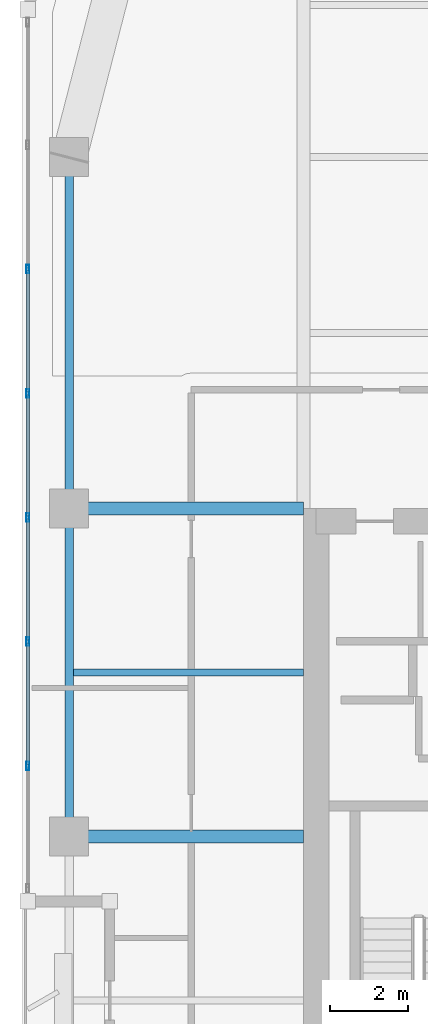
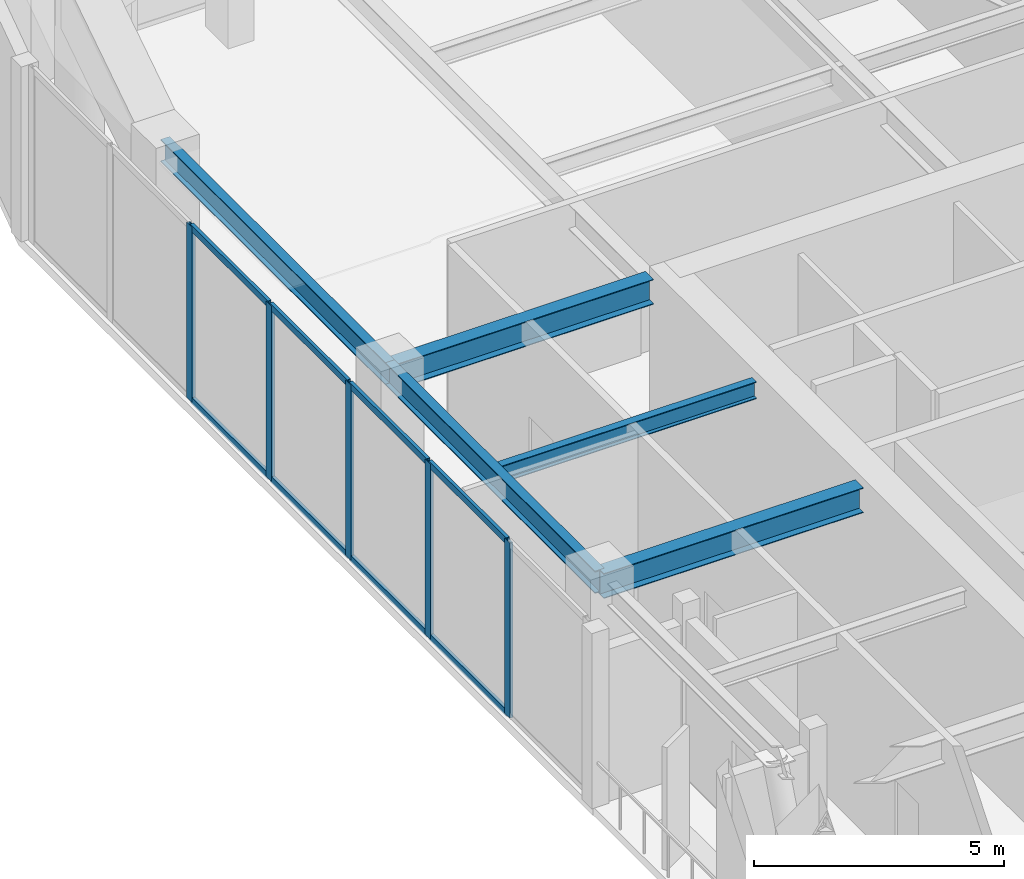
# One storey, part 4 of 19: 13 members, 5 beams, 1 element without a shape of its own.
"""IFC4 building model written with IfcOpenShell, lengths in metres."""

from ifc_helpers import new_model, si_unit, direction, frame, origin, origin_2d, place, context, subcontext, project, spatial, hollow_rectangle, i_section, extrude, material, layer, layer_set, material_profile, profile_set, type_object, element, aggregate, save


model = new_model("IFC4")

# Units and contexts
model_context = context("Model", 3, precision=1e-05, world=origin(), true_north=direction((0.0, 1.0)))
body_context = subcontext(model_context, "Body", "Model", "MODEL_VIEW")
ifc_project = project(units=[si_unit("LENGTHUNIT", "METRE"), si_unit("AREAUNIT", "SQUARE_METRE"), si_unit("VOLUMEUNIT", "CUBIC_METRE"), si_unit("PLANEANGLEUNIT", "RADIAN"), si_unit("MASSUNIT", "GRAM", prefix="KILO")], contexts=[model_context])

# Site, building, storey
site_placement = place(None, origin())
site = spatial("IfcSite", under=ifc_project, at=site_placement, CompositionType="ELEMENT")
building_placement = place(site_placement, origin())
building = spatial("IfcBuilding", under=site, at=building_placement, Name="Kiyonajd Concourse Tower", CompositionType="ELEMENT")
storey_placement = place(building_placement, frame((0.0, 0.0, 238.800048828125)))
storey = spatial("IfcBuildingStorey", under=building, at=storey_placement, Name="L60", CompositionType="ELEMENT", Elevation=238.800048828125)

# Beams
ifc_material_1 = material(Name="Steel ASTM A992 Grade 50", Category="steel")
ifc_material_profile_1 = material_profile(ifc_material_1, i_section(OverallWidth=0.180908203125, OverallDepth=0.4169921875, WebThickness=0.010986328125, FlangeThickness=0.018310546875, at=origin_2d()), Name="W410X85")
ifc_profile_set_1 = profile_set([ifc_material_profile_1], Name="Steel ASTM A992 Grade 50")
beam_type_1 = type_object("IfcBeamType", Name="BM-JST-410", PredefinedType="JOIST", material=ifc_profile_set_1)
beam_1_placement = place(storey_placement, frame((26.507080078125, 40.199951171875, 4.071533203125), z_axis=(1.0, 0.0, 0.0), x_axis=(0.0, 1.0, 0.0)))
element("IfcBeam", 1, at=beam_1_placement, inside=storey, type_object=beam_type_1, Name="L60 West Secondary Floor Joist", PredefinedType="JOIST", context=body_context, shape_type="SweptSolid", body=[
    extrude(i_section(OverallWidth=0.180908203125, OverallDepth=0.4169921875, WebThickness=0.010986328125, FlangeThickness=0.018310546875, at=origin_2d()), origin(), (0.0, 0.0, 1.0), 5.892822265625),
])
ifc_material_profile_2 = material_profile(ifc_material_1, i_section(OverallWidth=0.214111328125, OverallDepth=0.549072265625, WebThickness=0.0146484375, FlangeThickness=0.023681640625, at=origin_2d()), Name="W530X138")
ifc_profile_set_2 = profile_set([ifc_material_profile_2], Name="Steel ASTM A992 Grade 50")
beam_type_2 = type_object("IfcBeamType", Name="BM-SPAN-530A", PredefinedType="SPANDREL", material=ifc_profile_set_2)
beam_2_placement = place(storey_placement, frame((26.39990234375, 53.39990234375, 4.00537109375), z_axis=(0.0, -1.0, 0.0), x_axis=(1.0, 0.0, 0.0)))
element("IfcBeam", 2, at=beam_2_placement, inside=storey, type_object=beam_type_2, Name="L60 Perimeter Bundled Tube Spandrel", PredefinedType="SPANDREL", context=body_context, shape_type="SweptSolid", body=[
    extrude(i_section(OverallWidth=0.214111328125, OverallDepth=0.549072265625, WebThickness=0.0146484375, FlangeThickness=0.023681640625, at=origin_2d()), origin(), (0.0, 0.0, 1.0), 9.0),
])
beam_3_placement = place(storey_placement, frame((26.39990234375, 44.39990234375, 4.00537109375), z_axis=(0.0, -1.0, 0.0), x_axis=(1.0, 0.0, 0.0)))
element("IfcBeam", 3, at=beam_3_placement, inside=storey, type_object=beam_type_2, Name="L60 Perimeter Bundled Tube Spandrel", PredefinedType="SPANDREL", context=body_context, shape_type="SweptSolid", body=[
    extrude(i_section(OverallWidth=0.214111328125, OverallDepth=0.549072265625, WebThickness=0.0146484375, FlangeThickness=0.023681640625, at=origin_2d()), origin(), (0.0, 0.0, 1.0), 8.39990234375),
])
ifc_material_profile_3 = material_profile(ifc_material_1, i_section(OverallWidth=0.323974609375, OverallDepth=0.611083984375, WebThickness=0.0126953125, FlangeThickness=0.01904296875, at=origin_2d()), Name="W610X155")
ifc_profile_set_3 = profile_set([ifc_material_profile_3], Name="Steel ASTM A992 Grade 50")
beam_type_3 = type_object("IfcBeamType", Name="BM-TWR-610B", PredefinedType="BEAM", material=ifc_profile_set_3)
for number, where, z_axis, x_axis, name in (
    (4, (26.39990234375, 36.0, 3.974365234375), (1.0, 0.0, 0.0), (0.0, 1.0, 0.0), "L60 West Lease Girder"),
    (5, (26.39990234375, 44.39990234375, 3.974365234375), (1.0, 0.0, 0.0), (0.0, 1.0, 0.0), "L60 West Lease Girder"),
):
    element("IfcBeam", number, at=place(storey_placement, frame(where, z_axis=z_axis, x_axis=x_axis)), inside=storey, type_object=beam_type_3, Name=name, PredefinedType="BEAM", context=body_context, shape_type="SweptSolid", body=[
        extrude(i_section(OverallWidth=0.323974609375, OverallDepth=0.611083984375, WebThickness=0.0126953125, FlangeThickness=0.01904296875, at=origin_2d()), origin(), (0.0, 0.0, 1.0), 6.0),
    ])

# Curtain wall, members
ifc_material_2 = material(Name="Thermally Broken Anodised Aluminium", Category="aluminium")
ifc_layer = layer(ifc_material_2, 0.179931640625)
ifc_layer_set = layer_set([ifc_layer], Name="Thermally Broken Anodised Aluminium")
curtain_wall_type = type_object("IfcCurtainWallType", Name="CW-SYS-05", PredefinedType="NOTDEFINED", material=ifc_layer_set)
curtain_wall_placement = place(storey_placement, origin())
curtain_wall = element("IfcCurtainWall", 6, at=curtain_wall_placement, inside=storey, type_object=curtain_wall_type, Name="L60 Unitised Curtain Wall CW5", PredefinedType="NOTDEFINED")
ifc_material_profile_4 = material_profile(ifc_material_2, hollow_rectangle(XDim=0.074951171875, YDim=0.219970703125, WallThickness=0.0048828125, at=origin_2d()), Name="MULL-75x220")
ifc_profile_set_4 = profile_set([ifc_material_profile_4], Name="Thermally Broken Anodised Aluminium")
member_type_1 = type_object("IfcMemberType", Name="MB-CW-MULL2", PredefinedType="MULLION", material=ifc_profile_set_4)
member_1_placement = place(storey_placement, frame((25.340087890625, 37.810302734375, 0.0), z_axis=(0.0, 0.0, 1.0), x_axis=(-1.0, 0.0, 0.0)))
member_1 = element("IfcMember", 7, at=member_1_placement, type_object=member_type_1, Name="CW5 mullion 2", PredefinedType="MULLION", context=body_context, shape_type="SweptSolid", body=[
    extrude(hollow_rectangle(XDim=0.074951171875, YDim=0.219970703125, WallThickness=0.0048828125, at=origin_2d()), origin(), (0.0, 0.0, 1.0), 4.280029296875),
])
member_2_placement = place(storey_placement, frame((25.340087890625, 40.990478515625, 0.0), z_axis=(0.0, 0.0, 1.0), x_axis=(-1.0, 0.0, 0.0)))
member_2 = element("IfcMember", 8, at=member_2_placement, type_object=member_type_1, Name="CW5 mullion 3", PredefinedType="MULLION", context=body_context, shape_type="SweptSolid", body=[
    extrude(hollow_rectangle(XDim=0.074951171875, YDim=0.219970703125, WallThickness=0.0048828125, at=origin_2d()), origin(), (0.0, 0.0, 1.0), 4.280029296875),
])
member_3_placement = place(storey_placement, frame((25.340087890625, 44.170654296875, 0.0), z_axis=(0.0, 0.0, 1.0), x_axis=(-1.0, 0.0, 0.0)))
member_3 = element("IfcMember", 9, at=member_3_placement, type_object=member_type_1, Name="CW5 mullion 4", PredefinedType="MULLION", context=body_context, shape_type="SweptSolid", body=[
    extrude(hollow_rectangle(XDim=0.074951171875, YDim=0.219970703125, WallThickness=0.0048828125, at=origin_2d()), origin(), (0.0, 0.0, 1.0), 4.280029296875),
])
member_4_placement = place(storey_placement, frame((25.340087890625, 47.350830078125, 0.0), z_axis=(0.0, 0.0, 1.0), x_axis=(-1.0, 0.0, 0.0)))
member_4 = element("IfcMember", 10, at=member_4_placement, type_object=member_type_1, Name="CW5 mullion 5", PredefinedType="MULLION", context=body_context, shape_type="SweptSolid", body=[
    extrude(hollow_rectangle(XDim=0.074951171875, YDim=0.219970703125, WallThickness=0.0048828125, at=origin_2d()), origin(), (0.0, 0.0, 1.0), 4.280029296875),
])
member_5_placement = place(storey_placement, frame((25.340087890625, 50.53125, 0.0), z_axis=(0.0, 0.0, 1.0), x_axis=(-1.0, 0.0, 0.0)))
member_5 = element("IfcMember", 11, at=member_5_placement, type_object=member_type_1, Name="CW5 mullion 6", PredefinedType="MULLION", context=body_context, shape_type="SweptSolid", body=[
    extrude(hollow_rectangle(XDim=0.074951171875, YDim=0.219970703125, WallThickness=0.0048828125, at=origin_2d()), origin(), (0.0, 0.0, 1.0), 4.280029296875),
])
ifc_material_profile_5 = material_profile(ifc_material_2, hollow_rectangle(XDim=0.074951171875, YDim=0.159912109375, WallThickness=0.0048828125, at=origin_2d()), Name="TRAN-75x160")
ifc_profile_set_5 = profile_set([ifc_material_profile_5], Name="Thermally Broken Anodised Aluminium")
member_type_2 = type_object("IfcMemberType", Name="MB-CW-TRAN2", PredefinedType="USERDEFINED", material=ifc_profile_set_5)
member_6_placement = place(storey_placement, frame((25.340087890625, 37.84765625, 0.037353515625), z_axis=(0.0, 1.0, 0.0), x_axis=(-1.0, 0.0, 0.0)))
member_6 = element("IfcMember", 12, at=member_6_placement, type_object=member_type_2, Name="CW5 transom 2.1", ObjectType="TRANSOM", PredefinedType="USERDEFINED", context=body_context, shape_type="SweptSolid", body=[
    extrude(hollow_rectangle(XDim=0.074951171875, YDim=0.159912109375, WallThickness=0.0048828125, at=origin_2d()), origin(), (0.0, 0.0, 1.0), 3.105224609375),
])
member_7_placement = place(storey_placement, frame((25.340087890625, 37.84765625, 4.242431640625), z_axis=(0.0, 1.0, 0.0), x_axis=(-1.0, 0.0, 0.0)))
member_7 = element("IfcMember", 13, at=member_7_placement, type_object=member_type_2, Name="CW5 transom 2.2", ObjectType="TRANSOM", PredefinedType="USERDEFINED", context=body_context, shape_type="SweptSolid", body=[
    extrude(hollow_rectangle(XDim=0.074951171875, YDim=0.159912109375, WallThickness=0.0048828125, at=origin_2d()), origin(), (0.0, 0.0, 1.0), 3.105224609375),
])
member_8_placement = place(storey_placement, frame((25.340087890625, 41.028076171875, 0.037353515625), z_axis=(0.0, 1.0, 0.0), x_axis=(-1.0, 0.0, 0.0)))
member_8 = element("IfcMember", 14, at=member_8_placement, type_object=member_type_2, Name="CW5 transom 3.1", ObjectType="TRANSOM", PredefinedType="USERDEFINED", context=body_context, shape_type="SweptSolid", body=[
    extrude(hollow_rectangle(XDim=0.074951171875, YDim=0.159912109375, WallThickness=0.0048828125, at=origin_2d()), origin(), (0.0, 0.0, 1.0), 3.105224609375),
])
member_9_placement = place(storey_placement, frame((25.340087890625, 41.028076171875, 4.242431640625), z_axis=(0.0, 1.0, 0.0), x_axis=(-1.0, 0.0, 0.0)))
member_9 = element("IfcMember", 15, at=member_9_placement, type_object=member_type_2, Name="CW5 transom 3.2", ObjectType="TRANSOM", PredefinedType="USERDEFINED", context=body_context, shape_type="SweptSolid", body=[
    extrude(hollow_rectangle(XDim=0.074951171875, YDim=0.159912109375, WallThickness=0.0048828125, at=origin_2d()), origin(), (0.0, 0.0, 1.0), 3.105224609375),
])
member_10_placement = place(storey_placement, frame((25.340087890625, 44.208251953125, 0.037353515625), z_axis=(0.0, 1.0, 0.0), x_axis=(-1.0, 0.0, 0.0)))
member_10 = element("IfcMember", 16, at=member_10_placement, type_object=member_type_2, Name="CW5 transom 4.1", ObjectType="TRANSOM", PredefinedType="USERDEFINED", context=body_context, shape_type="SweptSolid", body=[
    extrude(hollow_rectangle(XDim=0.074951171875, YDim=0.159912109375, WallThickness=0.0048828125, at=origin_2d()), origin(), (0.0, 0.0, 1.0), 3.105224609375),
])
member_11_placement = place(storey_placement, frame((25.340087890625, 44.208251953125, 4.242431640625), z_axis=(0.0, 1.0, 0.0), x_axis=(-1.0, 0.0, 0.0)))
member_11 = element("IfcMember", 17, at=member_11_placement, type_object=member_type_2, Name="CW5 transom 4.2", ObjectType="TRANSOM", PredefinedType="USERDEFINED", context=body_context, shape_type="SweptSolid", body=[
    extrude(hollow_rectangle(XDim=0.074951171875, YDim=0.159912109375, WallThickness=0.0048828125, at=origin_2d()), origin(), (0.0, 0.0, 1.0), 3.105224609375),
])
member_12_placement = place(storey_placement, frame((25.340087890625, 47.388427734375, 0.037353515625), z_axis=(0.0, 1.0, 0.0), x_axis=(-1.0, 0.0, 0.0)))
member_12 = element("IfcMember", 18, at=member_12_placement, type_object=member_type_2, Name="CW5 transom 5.1", ObjectType="TRANSOM", PredefinedType="USERDEFINED", context=body_context, shape_type="SweptSolid", body=[
    extrude(hollow_rectangle(XDim=0.074951171875, YDim=0.159912109375, WallThickness=0.0048828125, at=origin_2d()), origin(), (0.0, 0.0, 1.0), 3.105224609375),
])
member_13_placement = place(storey_placement, frame((25.340087890625, 47.388427734375, 4.242431640625), z_axis=(0.0, 1.0, 0.0), x_axis=(-1.0, 0.0, 0.0)))
member_13 = element("IfcMember", 19, at=member_13_placement, type_object=member_type_2, Name="CW5 transom 5.2", ObjectType="TRANSOM", PredefinedType="USERDEFINED", context=body_context, shape_type="SweptSolid", body=[
    extrude(hollow_rectangle(XDim=0.074951171875, YDim=0.159912109375, WallThickness=0.0048828125, at=origin_2d()), origin(), (0.0, 0.0, 1.0), 3.105224609375),
])
aggregate(curtain_wall, [member_1, member_2, member_3, member_4, member_5, member_6, member_7, member_8, member_9, member_10, member_11, member_12, member_13])

save(model, "model.ifc")
